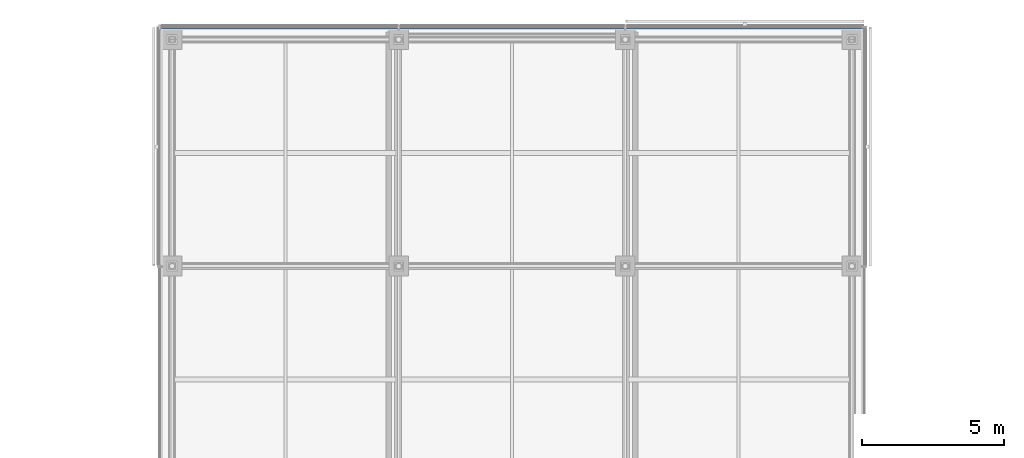
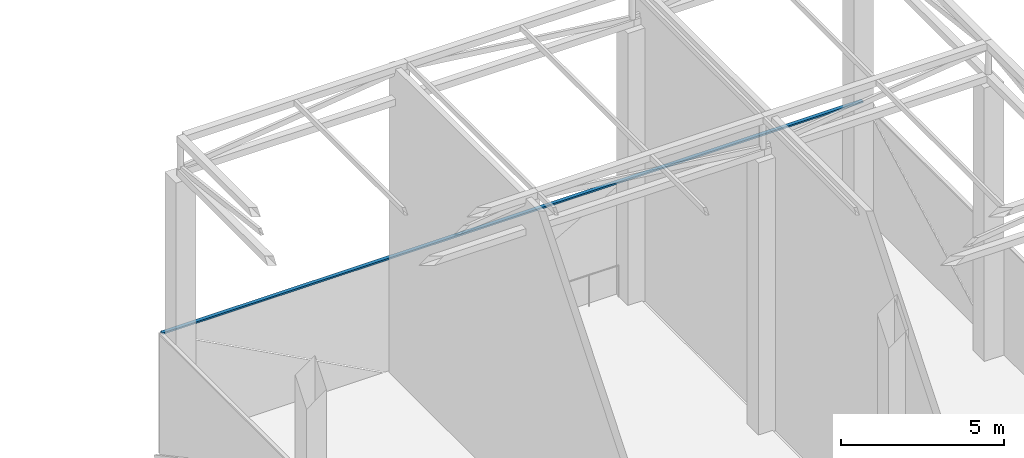
# One storey, part 8 of 23: 1 member, 1 element without a shape of its own.
"""IFC4 building model written with IfcOpenShell, lengths in metres."""

from ifc_helpers import new_model, si_unit, direction, frame, origin, origin_2d, place, context, subcontext, project, spatial, rectangle, extrude, material, material_profile, profile_set, type_object, element, aggregate, save


model = new_model("IFC4")

# Units and contexts
model_context = context("Model", 3, precision=1e-05, world=origin(), true_north=direction((0.0, 1.0)))
body_context = subcontext(model_context, "Body", "Model", "MODEL_VIEW")
ifc_project = project(units=[si_unit("LENGTHUNIT", "METRE"), si_unit("AREAUNIT", "SQUARE_METRE"), si_unit("VOLUMEUNIT", "CUBIC_METRE"), si_unit("PLANEANGLEUNIT", "RADIAN"), si_unit("MASSUNIT", "GRAM", prefix="KILO")], contexts=[model_context])

# Site, building, storey
site_placement = place(None, origin())
site = spatial("IfcSite", under=ifc_project, at=site_placement, CompositionType="ELEMENT")
building_placement = place(site_placement, origin())
building = spatial("IfcBuilding", under=site, at=building_placement, Name="Crosswind Convention Tower", CompositionType="ELEMENT")
storey_placement = place(building_placement, frame((0.0, 0.0, 349.10009765625)))
storey = spatial("IfcBuildingStorey", under=building, at=storey_placement, Name="L76", CompositionType="ELEMENT", Elevation=349.10009765625)

# Curtain wall, member
ifc_material_1 = material(Name="Aluminium unitised curtain wall", Category="aluminium")
curtain_wall_type = type_object("IfcCurtainWallType", Name="CROWN WINDBREAK WALL 180", PredefinedType="USERDEFINED", material=ifc_material_1)
curtain_wall_placement = place(storey_placement, origin())
curtain_wall = element("IfcCurtainWall", 1, at=curtain_wall_placement, inside=storey, type_object=curtain_wall_type, Name="CW5 L76 N-TIP 1", ObjectType="UNITISED", PredefinedType="USERDEFINED")
ifc_material_2 = material(Name="Aluminium transom", Category="aluminium")
ifc_material_profile = material_profile(ifc_material_2, rectangle(XDim=0.1298828125, YDim=0.06005859375, at=origin_2d()), Name="AL 130X60")
ifc_profile_set = profile_set([ifc_material_profile], Name="Aluminium transom")
member_type = type_object("IfcMemberType", Name="TRANSOM 60X130", PredefinedType="USERDEFINED", material=ifc_profile_set)
member_placement = place(storey_placement, frame((137.409912109375, 128.43994140625, 4.169921875), z_axis=(-1.0, 0.0, 0.0), x_axis=(0.0, -1.0, 0.0)))
member = element("IfcMember", 2, at=member_placement, type_object=member_type, Name="CW5 transom", ObjectType="TRANSOM", PredefinedType="USERDEFINED", context=body_context, shape_type="SweptSolid", body=[
    extrude(rectangle(XDim=0.1298828125, YDim=0.06005859375, at=origin_2d()), origin(), (0.0, 0.0, 1.0), 24.81982421875),
])
aggregate(curtain_wall, [member])

save(model, "model.ifc")
